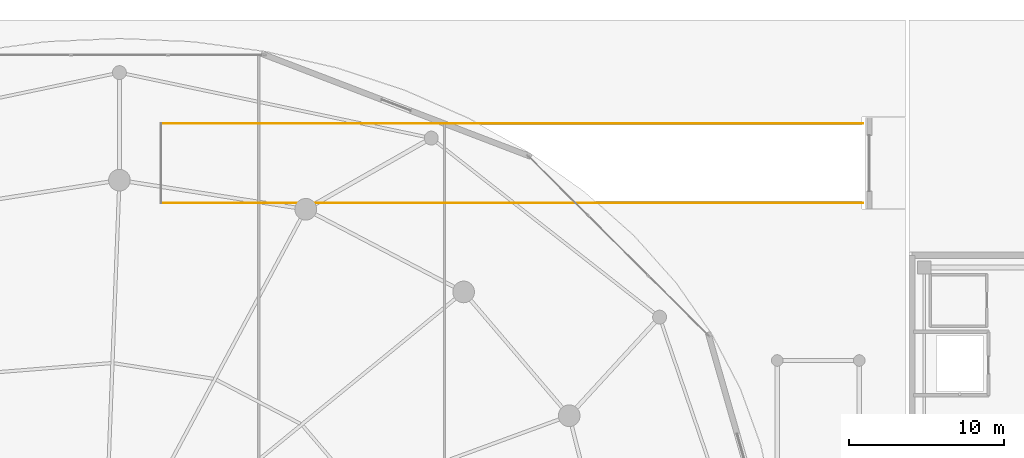
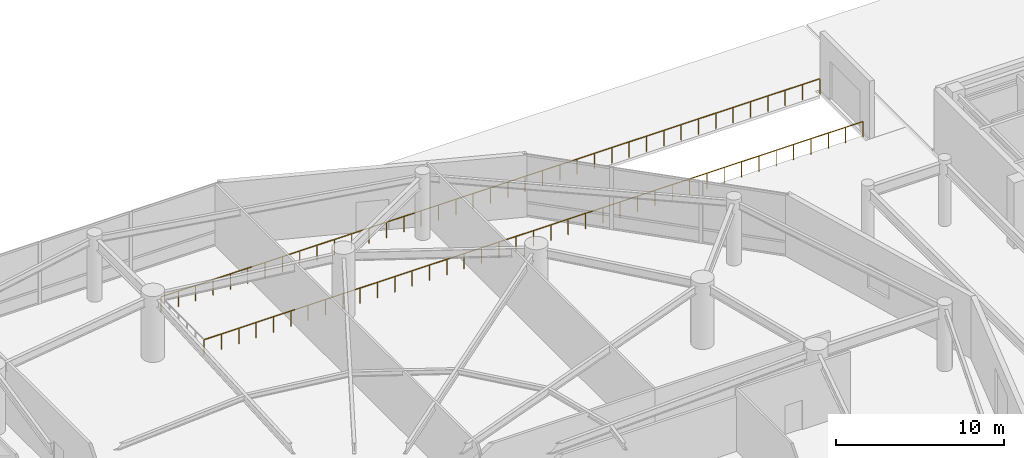
# One storey, part 33 of 35: 2 railings.
"""IFC4 building model written with IfcOpenShell, lengths in metres."""

from ifc_helpers import new_model, si_unit, direction, frame, origin, origin_2d, place, context, subcontext, project, spatial, rectangle, extrude, material, type_object, element, save


model = new_model("IFC4")

# Units and contexts
model_context = context("Model", 3, precision=1e-05, world=origin(), true_north=direction((0.0, 1.0)))
body_context = subcontext(model_context, "Body", "Model", "MODEL_VIEW")
ifc_project = project(units=[si_unit("LENGTHUNIT", "METRE"), si_unit("AREAUNIT", "SQUARE_METRE"), si_unit("VOLUMEUNIT", "CUBIC_METRE"), si_unit("PLANEANGLEUNIT", "RADIAN"), si_unit("MASSUNIT", "GRAM", prefix="KILO")], contexts=[model_context])

# Site, building, storey
site_placement = place(None, origin())
site = spatial("IfcSite", under=ifc_project, at=site_placement, CompositionType="ELEMENT")
building_placement = place(site_placement, origin())
building = spatial("IfcBuilding", under=site, at=building_placement, Name="Kazevale Care Tower and Concert Hall", CompositionType="ELEMENT")
storey_placement = place(building_placement, origin())
storey = spatial("IfcBuildingStorey", under=building, at=storey_placement, Name="L00", CompositionType="ELEMENT", Elevation=0.0)

# Railings
ifc_material = material(Name="Anodised Bronze Aluminium and Laminated Glass", Category="aluminium")
railing_type = type_object("IfcRailingType", Name="Balcony and Terrace Balustrade 1120", PredefinedType="BALUSTRADE", material=ifc_material)
railing_1_placement = place(storey_placement, frame((47.679931640625, 61.179931640625, 0.0)))
element("IfcRailing", 1, at=railing_1_placement, inside=storey, type_object=railing_type, Name="rail:L00:rmp_well:S", PredefinedType="BALUSTRADE", context=body_context, shape_type="SweptSolid", body=[
    extrude(rectangle(XDim=0.048095703125, YDim=0.048095703125, at=origin_2d()), frame((0.0, 0.0, 1.1259765625), z_axis=(1.0, 0.0, 0.0), x_axis=(0.0, 1.0, 0.0)), (0.0, 0.0, 1.0), 45.3701171875),
    extrude(rectangle(XDim=0.0419921875, YDim=0.0419921875, at=origin_2d()), origin(), (0.0, 0.0, 1.0), 1.101806640625),
    extrude(rectangle(XDim=0.0419921875, YDim=0.0419921875, at=origin_2d()), frame((1.19384765625, 0.0, 0.0)), (0.0, 0.0, 1.0), 1.101806640625),
    extrude(rectangle(XDim=0.0419921875, YDim=0.0419921875, at=origin_2d()), frame((2.387939453125, 0.0, 0.0)), (0.0, 0.0, 1.0), 1.101806640625),
    extrude(rectangle(XDim=0.0419921875, YDim=0.0419921875, at=origin_2d()), frame((3.581787109375, 0.0, 0.0)), (0.0, 0.0, 1.0), 1.101806640625),
    extrude(rectangle(XDim=0.0419921875, YDim=0.0419921875, at=origin_2d()), frame((4.77587890625, 0.0, 0.0)), (0.0, 0.0, 1.0), 1.101806640625),
    extrude(rectangle(XDim=0.0419921875, YDim=0.0419921875, at=origin_2d()), frame((5.9697265625, 0.0, 0.0)), (0.0, 0.0, 1.0), 1.101806640625),
    extrude(rectangle(XDim=0.0419921875, YDim=0.0419921875, at=origin_2d()), frame((7.163818359375, 0.0, 0.0)), (0.0, 0.0, 1.0), 1.101806640625),
    extrude(rectangle(XDim=0.0419921875, YDim=0.0419921875, at=origin_2d()), frame((8.357666015625, 0.0, 0.0)), (0.0, 0.0, 1.0), 1.101806640625),
    extrude(rectangle(XDim=0.0419921875, YDim=0.0419921875, at=origin_2d()), frame((9.551513671875, 0.0, 0.0)), (0.0, 0.0, 1.0), 1.101806640625),
    extrude(rectangle(XDim=0.0419921875, YDim=0.0419921875, at=origin_2d()), frame((10.74560546875, 0.0, 0.0)), (0.0, 0.0, 1.0), 1.101806640625),
    extrude(rectangle(XDim=0.0419921875, YDim=0.0419921875, at=origin_2d()), frame((11.939453125, 0.0, 0.0)), (0.0, 0.0, 1.0), 1.101806640625),
    extrude(rectangle(XDim=0.0419921875, YDim=0.0419921875, at=origin_2d()), frame((13.133544921875, 0.0, 0.0)), (0.0, 0.0, 1.0), 1.101806640625),
    extrude(rectangle(XDim=0.0419921875, YDim=0.0419921875, at=origin_2d()), frame((14.327392578125, 0.0, 0.0)), (0.0, 0.0, 1.0), 1.101806640625),
    extrude(rectangle(XDim=0.0419921875, YDim=0.0419921875, at=origin_2d()), frame((15.521240234375, 0.0, 0.0)), (0.0, 0.0, 1.0), 1.101806640625),
    extrude(rectangle(XDim=0.0419921875, YDim=0.0419921875, at=origin_2d()), frame((16.71533203125, 0.0, 0.0)), (0.0, 0.0, 1.0), 1.101806640625),
    extrude(rectangle(XDim=0.0419921875, YDim=0.0419921875, at=origin_2d()), frame((17.9091796875, 0.0, 0.0)), (0.0, 0.0, 1.0), 1.101806640625),
    extrude(rectangle(XDim=0.0419921875, YDim=0.0419921875, at=origin_2d()), frame((19.103271484375, 0.0, 0.0)), (0.0, 0.0, 1.0), 1.101806640625),
    extrude(rectangle(XDim=0.0419921875, YDim=0.0419921875, at=origin_2d()), frame((20.297119140625, 0.0, 0.0)), (0.0, 0.0, 1.0), 1.101806640625),
    extrude(rectangle(XDim=0.0419921875, YDim=0.0419921875, at=origin_2d()), frame((21.4912109375, 0.0, 0.0)), (0.0, 0.0, 1.0), 1.101806640625),
    extrude(rectangle(XDim=0.0419921875, YDim=0.0419921875, at=origin_2d()), frame((22.68505859375, 0.0, 0.0)), (0.0, 0.0, 1.0), 1.101806640625),
    extrude(rectangle(XDim=0.0419921875, YDim=0.0419921875, at=origin_2d()), frame((23.87890625, 0.0, 0.0)), (0.0, 0.0, 1.0), 1.101806640625),
    extrude(rectangle(XDim=0.0419921875, YDim=0.0419921875, at=origin_2d()), frame((25.072998046875, 0.0, 0.0)), (0.0, 0.0, 1.0), 1.101806640625),
    extrude(rectangle(XDim=0.0419921875, YDim=0.0419921875, at=origin_2d()), frame((26.266845703125, 0.0, 0.0)), (0.0, 0.0, 1.0), 1.101806640625),
    extrude(rectangle(XDim=0.0419921875, YDim=0.0419921875, at=origin_2d()), frame((27.4609375, 0.0, 0.0)), (0.0, 0.0, 1.0), 1.101806640625),
    extrude(rectangle(XDim=0.0419921875, YDim=0.0419921875, at=origin_2d()), frame((28.65478515625, 0.0, 0.0)), (0.0, 0.0, 1.0), 1.101806640625),
    extrude(rectangle(XDim=0.0419921875, YDim=0.0419921875, at=origin_2d()), frame((29.848876953125, 0.0, 0.0)), (0.0, 0.0, 1.0), 1.101806640625),
    extrude(rectangle(XDim=0.0419921875, YDim=0.0419921875, at=origin_2d()), frame((31.042724609375, 0.0, 0.0)), (0.0, 0.0, 1.0), 1.101806640625),
    extrude(rectangle(XDim=0.0419921875, YDim=0.0419921875, at=origin_2d()), frame((32.236572265625, 0.0, 0.0)), (0.0, 0.0, 1.0), 1.101806640625),
    extrude(rectangle(XDim=0.0419921875, YDim=0.0419921875, at=origin_2d()), frame((33.4306640625, 0.0, 0.0)), (0.0, 0.0, 1.0), 1.101806640625),
    extrude(rectangle(XDim=0.0419921875, YDim=0.0419921875, at=origin_2d()), frame((34.62451171875, 0.0, 0.0)), (0.0, 0.0, 1.0), 1.101806640625),
    extrude(rectangle(XDim=0.0419921875, YDim=0.0419921875, at=origin_2d()), frame((35.818603515625, 0.0, 0.0)), (0.0, 0.0, 1.0), 1.101806640625),
    extrude(rectangle(XDim=0.0419921875, YDim=0.0419921875, at=origin_2d()), frame((37.012451171875, 0.0, 0.0)), (0.0, 0.0, 1.0), 1.101806640625),
    extrude(rectangle(XDim=0.0419921875, YDim=0.0419921875, at=origin_2d()), frame((38.206298828125, 0.0, 0.0)), (0.0, 0.0, 1.0), 1.101806640625),
    extrude(rectangle(XDim=0.0419921875, YDim=0.0419921875, at=origin_2d()), frame((39.400390625, 0.0, 0.0)), (0.0, 0.0, 1.0), 1.101806640625),
    extrude(rectangle(XDim=0.0419921875, YDim=0.0419921875, at=origin_2d()), frame((40.59423828125, 0.0, 0.0)), (0.0, 0.0, 1.0), 1.101806640625),
    extrude(rectangle(XDim=0.0419921875, YDim=0.0419921875, at=origin_2d()), frame((41.788330078125, 0.0, 0.0)), (0.0, 0.0, 1.0), 1.101806640625),
    extrude(rectangle(XDim=0.0419921875, YDim=0.0419921875, at=origin_2d()), frame((42.982177734375, 0.0, 0.0)), (0.0, 0.0, 1.0), 1.101806640625),
    extrude(rectangle(XDim=0.0419921875, YDim=0.0419921875, at=origin_2d()), frame((44.17626953125, 0.0, 0.0)), (0.0, 0.0, 1.0), 1.101806640625),
    extrude(rectangle(XDim=0.0419921875, YDim=0.0419921875, at=origin_2d()), frame((45.3701171875, 0.0, 0.0)), (0.0, 0.0, 1.0), 1.101806640625),
])
railing_2_placement = place(storey_placement, frame((47.679931640625, 66.320068359375, 0.0)))
element("IfcRailing", 2, at=railing_2_placement, inside=storey, type_object=railing_type, Name="rail:L00:rmp_well:N", PredefinedType="BALUSTRADE", context=body_context, shape_type="SweptSolid", body=[
    extrude(rectangle(XDim=0.048095703125, YDim=0.048095703125, at=origin_2d()), frame((0.0, 0.0, 1.1259765625), z_axis=(1.0, 0.0, 0.0), x_axis=(0.0, 1.0, 0.0)), (0.0, 0.0, 1.0), 45.3701171875),
    extrude(rectangle(XDim=0.0419921875, YDim=0.0419921875, at=origin_2d()), origin(), (0.0, 0.0, 1.0), 1.101806640625),
    extrude(rectangle(XDim=0.0419921875, YDim=0.0419921875, at=origin_2d()), frame((1.19384765625, 0.0, 0.0)), (0.0, 0.0, 1.0), 1.101806640625),
    extrude(rectangle(XDim=0.0419921875, YDim=0.0419921875, at=origin_2d()), frame((2.387939453125, 0.0, 0.0)), (0.0, 0.0, 1.0), 1.101806640625),
    extrude(rectangle(XDim=0.0419921875, YDim=0.0419921875, at=origin_2d()), frame((3.581787109375, 0.0, 0.0)), (0.0, 0.0, 1.0), 1.101806640625),
    extrude(rectangle(XDim=0.0419921875, YDim=0.0419921875, at=origin_2d()), frame((4.77587890625, 0.0, 0.0)), (0.0, 0.0, 1.0), 1.101806640625),
    extrude(rectangle(XDim=0.0419921875, YDim=0.0419921875, at=origin_2d()), frame((5.9697265625, 0.0, 0.0)), (0.0, 0.0, 1.0), 1.101806640625),
    extrude(rectangle(XDim=0.0419921875, YDim=0.0419921875, at=origin_2d()), frame((7.163818359375, 0.0, 0.0)), (0.0, 0.0, 1.0), 1.101806640625),
    extrude(rectangle(XDim=0.0419921875, YDim=0.0419921875, at=origin_2d()), frame((8.357666015625, 0.0, 0.0)), (0.0, 0.0, 1.0), 1.101806640625),
    extrude(rectangle(XDim=0.0419921875, YDim=0.0419921875, at=origin_2d()), frame((9.551513671875, 0.0, 0.0)), (0.0, 0.0, 1.0), 1.101806640625),
    extrude(rectangle(XDim=0.0419921875, YDim=0.0419921875, at=origin_2d()), frame((10.74560546875, 0.0, 0.0)), (0.0, 0.0, 1.0), 1.101806640625),
    extrude(rectangle(XDim=0.0419921875, YDim=0.0419921875, at=origin_2d()), frame((11.939453125, 0.0, 0.0)), (0.0, 0.0, 1.0), 1.101806640625),
    extrude(rectangle(XDim=0.0419921875, YDim=0.0419921875, at=origin_2d()), frame((13.133544921875, 0.0, 0.0)), (0.0, 0.0, 1.0), 1.101806640625),
    extrude(rectangle(XDim=0.0419921875, YDim=0.0419921875, at=origin_2d()), frame((14.327392578125, 0.0, 0.0)), (0.0, 0.0, 1.0), 1.101806640625),
    extrude(rectangle(XDim=0.0419921875, YDim=0.0419921875, at=origin_2d()), frame((15.521240234375, 0.0, 0.0)), (0.0, 0.0, 1.0), 1.101806640625),
    extrude(rectangle(XDim=0.0419921875, YDim=0.0419921875, at=origin_2d()), frame((16.71533203125, 0.0, 0.0)), (0.0, 0.0, 1.0), 1.101806640625),
    extrude(rectangle(XDim=0.0419921875, YDim=0.0419921875, at=origin_2d()), frame((17.9091796875, 0.0, 0.0)), (0.0, 0.0, 1.0), 1.101806640625),
    extrude(rectangle(XDim=0.0419921875, YDim=0.0419921875, at=origin_2d()), frame((19.103271484375, 0.0, 0.0)), (0.0, 0.0, 1.0), 1.101806640625),
    extrude(rectangle(XDim=0.0419921875, YDim=0.0419921875, at=origin_2d()), frame((20.297119140625, 0.0, 0.0)), (0.0, 0.0, 1.0), 1.101806640625),
    extrude(rectangle(XDim=0.0419921875, YDim=0.0419921875, at=origin_2d()), frame((21.4912109375, 0.0, 0.0)), (0.0, 0.0, 1.0), 1.101806640625),
    extrude(rectangle(XDim=0.0419921875, YDim=0.0419921875, at=origin_2d()), frame((22.68505859375, 0.0, 0.0)), (0.0, 0.0, 1.0), 1.101806640625),
    extrude(rectangle(XDim=0.0419921875, YDim=0.0419921875, at=origin_2d()), frame((23.87890625, 0.0, 0.0)), (0.0, 0.0, 1.0), 1.101806640625),
    extrude(rectangle(XDim=0.0419921875, YDim=0.0419921875, at=origin_2d()), frame((25.072998046875, 0.0, 0.0)), (0.0, 0.0, 1.0), 1.101806640625),
    extrude(rectangle(XDim=0.0419921875, YDim=0.0419921875, at=origin_2d()), frame((26.266845703125, 0.0, 0.0)), (0.0, 0.0, 1.0), 1.101806640625),
    extrude(rectangle(XDim=0.0419921875, YDim=0.0419921875, at=origin_2d()), frame((27.4609375, 0.0, 0.0)), (0.0, 0.0, 1.0), 1.101806640625),
    extrude(rectangle(XDim=0.0419921875, YDim=0.0419921875, at=origin_2d()), frame((28.65478515625, 0.0, 0.0)), (0.0, 0.0, 1.0), 1.101806640625),
    extrude(rectangle(XDim=0.0419921875, YDim=0.0419921875, at=origin_2d()), frame((29.848876953125, 0.0, 0.0)), (0.0, 0.0, 1.0), 1.101806640625),
    extrude(rectangle(XDim=0.0419921875, YDim=0.0419921875, at=origin_2d()), frame((31.042724609375, 0.0, 0.0)), (0.0, 0.0, 1.0), 1.101806640625),
    extrude(rectangle(XDim=0.0419921875, YDim=0.0419921875, at=origin_2d()), frame((32.236572265625, 0.0, 0.0)), (0.0, 0.0, 1.0), 1.101806640625),
    extrude(rectangle(XDim=0.0419921875, YDim=0.0419921875, at=origin_2d()), frame((33.4306640625, 0.0, 0.0)), (0.0, 0.0, 1.0), 1.101806640625),
    extrude(rectangle(XDim=0.0419921875, YDim=0.0419921875, at=origin_2d()), frame((34.62451171875, 0.0, 0.0)), (0.0, 0.0, 1.0), 1.101806640625),
    extrude(rectangle(XDim=0.0419921875, YDim=0.0419921875, at=origin_2d()), frame((35.818603515625, 0.0, 0.0)), (0.0, 0.0, 1.0), 1.101806640625),
    extrude(rectangle(XDim=0.0419921875, YDim=0.0419921875, at=origin_2d()), frame((37.012451171875, 0.0, 0.0)), (0.0, 0.0, 1.0), 1.101806640625),
    extrude(rectangle(XDim=0.0419921875, YDim=0.0419921875, at=origin_2d()), frame((38.206298828125, 0.0, 0.0)), (0.0, 0.0, 1.0), 1.101806640625),
    extrude(rectangle(XDim=0.0419921875, YDim=0.0419921875, at=origin_2d()), frame((39.400390625, 0.0, 0.0)), (0.0, 0.0, 1.0), 1.101806640625),
    extrude(rectangle(XDim=0.0419921875, YDim=0.0419921875, at=origin_2d()), frame((40.59423828125, 0.0, 0.0)), (0.0, 0.0, 1.0), 1.101806640625),
    extrude(rectangle(XDim=0.0419921875, YDim=0.0419921875, at=origin_2d()), frame((41.788330078125, 0.0, 0.0)), (0.0, 0.0, 1.0), 1.101806640625),
    extrude(rectangle(XDim=0.0419921875, YDim=0.0419921875, at=origin_2d()), frame((42.982177734375, 0.0, 0.0)), (0.0, 0.0, 1.0), 1.101806640625),
    extrude(rectangle(XDim=0.0419921875, YDim=0.0419921875, at=origin_2d()), frame((44.17626953125, 0.0, 0.0)), (0.0, 0.0, 1.0), 1.101806640625),
    extrude(rectangle(XDim=0.0419921875, YDim=0.0419921875, at=origin_2d()), frame((45.3701171875, 0.0, 0.0)), (0.0, 0.0, 1.0), 1.101806640625),
])

save(model, "model.ifc")
